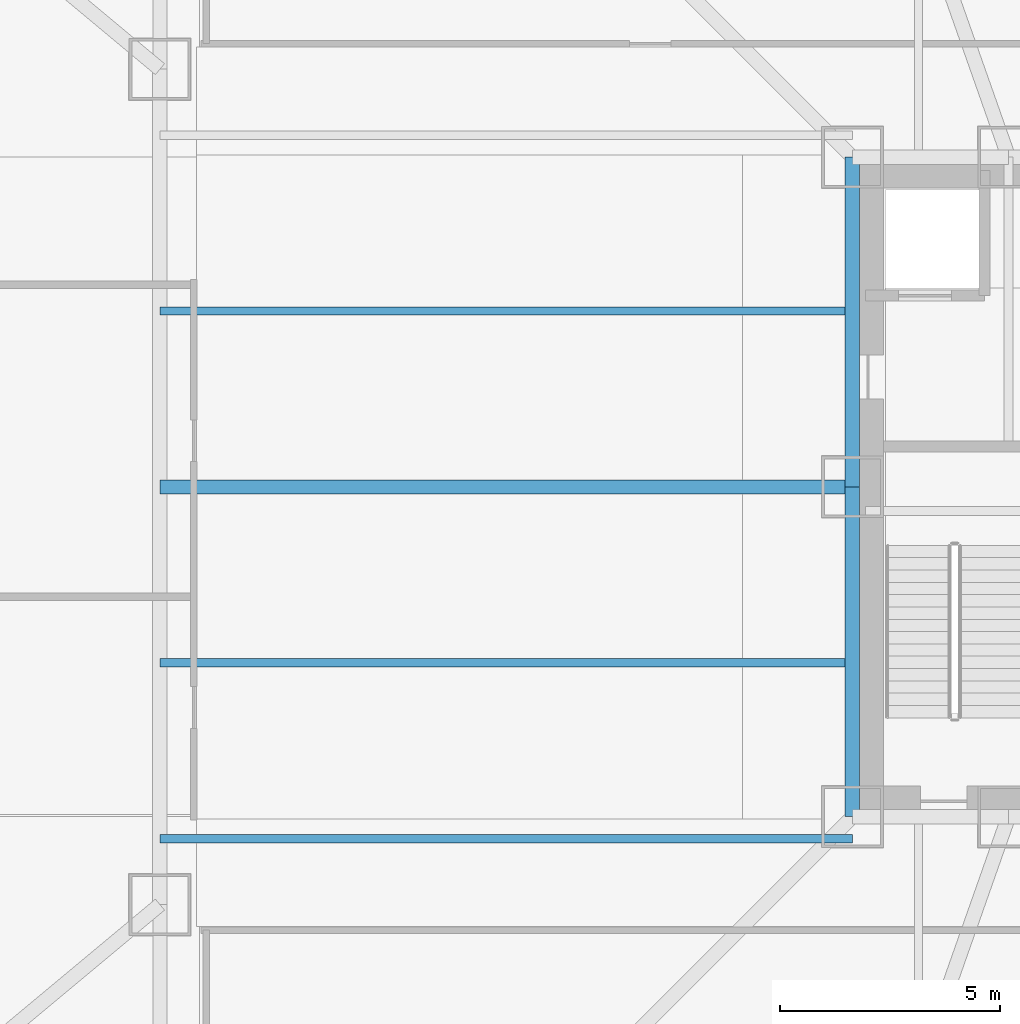
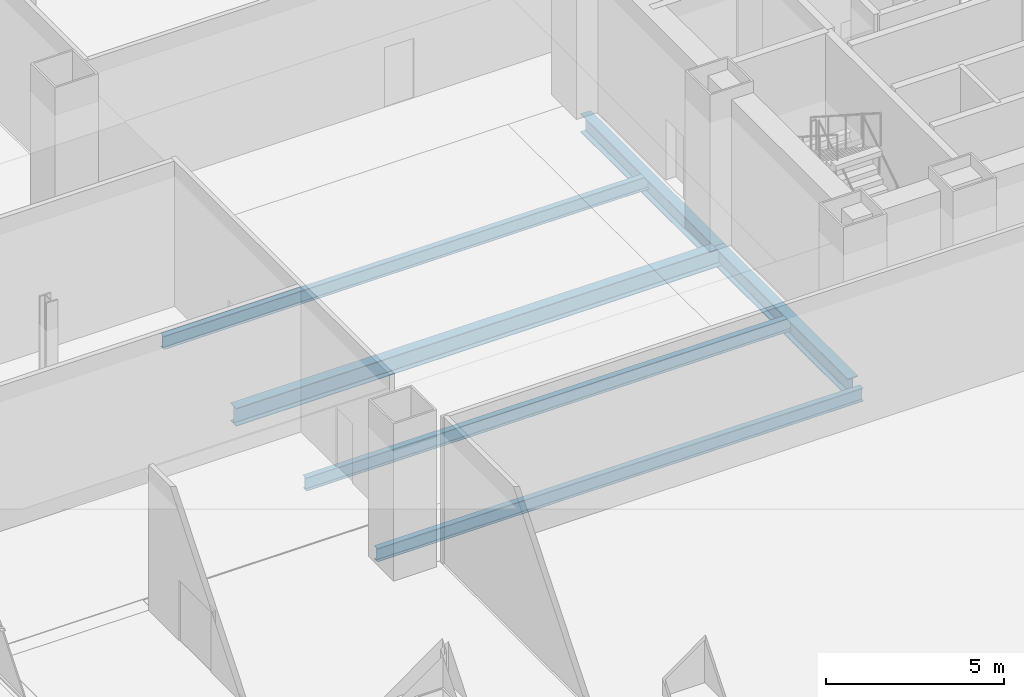
# One storey, part 8 of 35: 6 beams.
"""IFC4 building model written with IfcOpenShell, lengths in metres."""

from ifc_helpers import new_model, si_unit, direction, frame, origin, origin_2d, place, context, subcontext, project, spatial, i_section, extrude, material, material_profile, profile_set, type_object, element, save


model = new_model("IFC4")

# Units and contexts
model_context = context("Model", 3, precision=1e-05, world=origin(), true_north=direction((0.0, 1.0)))
body_context = subcontext(model_context, "Body", "Model", "MODEL_VIEW")
ifc_project = project(units=[si_unit("LENGTHUNIT", "METRE"), si_unit("AREAUNIT", "SQUARE_METRE"), si_unit("VOLUMEUNIT", "CUBIC_METRE"), si_unit("PLANEANGLEUNIT", "RADIAN"), si_unit("MASSUNIT", "GRAM", prefix="KILO")], contexts=[model_context])

# Site, building, storey
site_placement = place(None, origin())
site = spatial("IfcSite", under=ifc_project, at=site_placement, CompositionType="ELEMENT")
building_placement = place(site_placement, origin())
building = spatial("IfcBuilding", under=site, at=building_placement, Name="Trevonay Congress Spire", CompositionType="ELEMENT")
storey_placement = place(building_placement, frame((0.0, 0.0, 10.800048828125)))
storey = spatial("IfcBuildingStorey", under=building, at=storey_placement, Name="L02", CompositionType="ELEMENT", Elevation=10.800048828125)

# Beams
ifc_material = material(Name="Steel ASTM A572 Grade 50", Category="steel")
ifc_material_profile_1 = material_profile(ifc_material, i_section(OverallWidth=0.324951171875, OverallDepth=0.615966796875, WebThickness=0.013916015625, FlangeThickness=0.021484375, FilletRadius=0.01806640625, at=origin_2d()), Name="W610x174")
ifc_profile_set_1 = profile_set([ifc_material_profile_1], Name="Steel ASTM A572 Grade 50")
beam_type_1 = type_object("IfcBeamType", Name="BM-GIRD-W610X174", PredefinedType="BEAM", material=ifc_profile_set_1)
beam_placement = place(storey_placement, frame((-7.5, 0.0, -0.7080078125), z_axis=(-1.0, 0.0, 0.0), x_axis=(0.0, -1.0, 0.0)))
element("IfcBeam", 1, at=beam_placement, inside=storey, type_object=beam_type_1, Name="L02 structural beam BM-L02-RAD-WC", PredefinedType="BEAM", context=body_context, shape_type="SweptSolid", body=[
    extrude(i_section(OverallWidth=0.324951171875, OverallDepth=0.615966796875, WebThickness=0.013916015625, FlangeThickness=0.021484375, FilletRadius=0.01806640625, at=origin_2d()), origin(), (0.0, 0.0, 1.0), 15.75),
])
ifc_material_profile_2 = material_profile(ifc_material, i_section(OverallWidth=0.3291015625, OverallDepth=0.635009765625, WebThickness=0.017822265625, FlangeThickness=0.031005859375, FilletRadius=0.01806640625, at=origin_2d()), Name="W610x241")
ifc_profile_set_2 = profile_set([ifc_material_profile_2], Name="Steel ASTM A572 Grade 50")
beam_type_2 = type_object("IfcBeamType", Name="BM-GIRD-W610X241", PredefinedType="BEAM", material=ifc_profile_set_2)
for number, where, z_axis, x_axis, name in (
    (2, (-7.5, -7.5, -0.717529296875), (0.0, 1.0, 0.0), (-1.0, 0.0, 0.0), "L02 structural beam BM-L02-CR-W1"),
    (3, (-7.5, 0.0, -0.717529296875), (0.0, 1.0, 0.0), (-1.0, 0.0, 0.0), "L02 structural beam BM-L02-CR-W2"),
):
    element("IfcBeam", number, at=place(storey_placement, frame(where, z_axis=z_axis, x_axis=x_axis)), inside=storey, type_object=beam_type_2, Name=name, PredefinedType="BEAM", context=body_context, shape_type="SweptSolid", body=[
        extrude(i_section(OverallWidth=0.3291015625, OverallDepth=0.635009765625, WebThickness=0.017822265625, FlangeThickness=0.031005859375, FilletRadius=0.01806640625, at=origin_2d()), origin(), (0.0, 0.0, 1.0), 7.5),
    ])
ifc_material_profile_3 = material_profile(ifc_material, i_section(OverallWidth=0.18994140625, OverallDepth=0.45703125, WebThickness=0.009033203125, FlangeThickness=0.014404296875, FilletRadius=0.013916015625, at=origin_2d()), Name="W460x74")
ifc_profile_set_3 = profile_set([ifc_material_profile_3], Name="Steel ASTM A572 Grade 50")
beam_type_3 = type_object("IfcBeamType", Name="JS-COMP-W460X74", PredefinedType="JOIST", material=ifc_profile_set_3)
for number, where, z_axis, x_axis, name in (
    (4, (-23.25, -8.0, -0.628662109375), (1.0, 0.0, 0.0), (0.0, 1.0, 0.0), "L02 structural beam JS-L02-WH1"),
    (5, (-23.25, -4.0, -0.628662109375), (1.0, 0.0, 0.0), (0.0, 1.0, 0.0), "L02 structural beam JS-L02-WH2"),
    (6, (-23.25, 4.0, -0.628662109375), (1.0, 0.0, 0.0), (0.0, 1.0, 0.0), "L02 structural beam JS-L02-WH3"),
):
    element("IfcBeam", number, at=place(storey_placement, frame(where, z_axis=z_axis, x_axis=x_axis)), inside=storey, type_object=beam_type_3, Name=name, PredefinedType="JOIST", context=body_context, shape_type="SweptSolid", body=[
        extrude(i_section(OverallWidth=0.18994140625, OverallDepth=0.45703125, WebThickness=0.009033203125, FlangeThickness=0.014404296875, FilletRadius=0.013916015625, at=origin_2d()), origin(), (0.0, 0.0, 1.0), 15.75),
    ])

save(model, "model.ifc")
